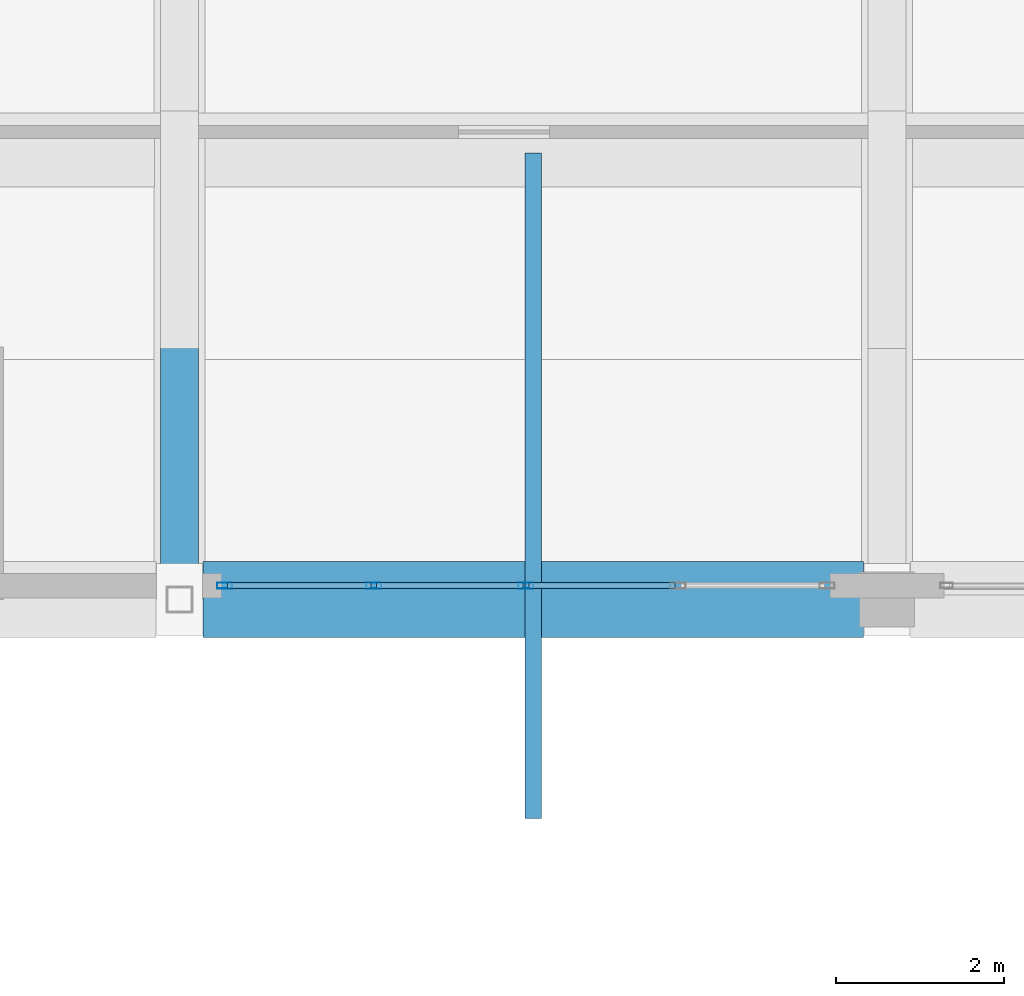
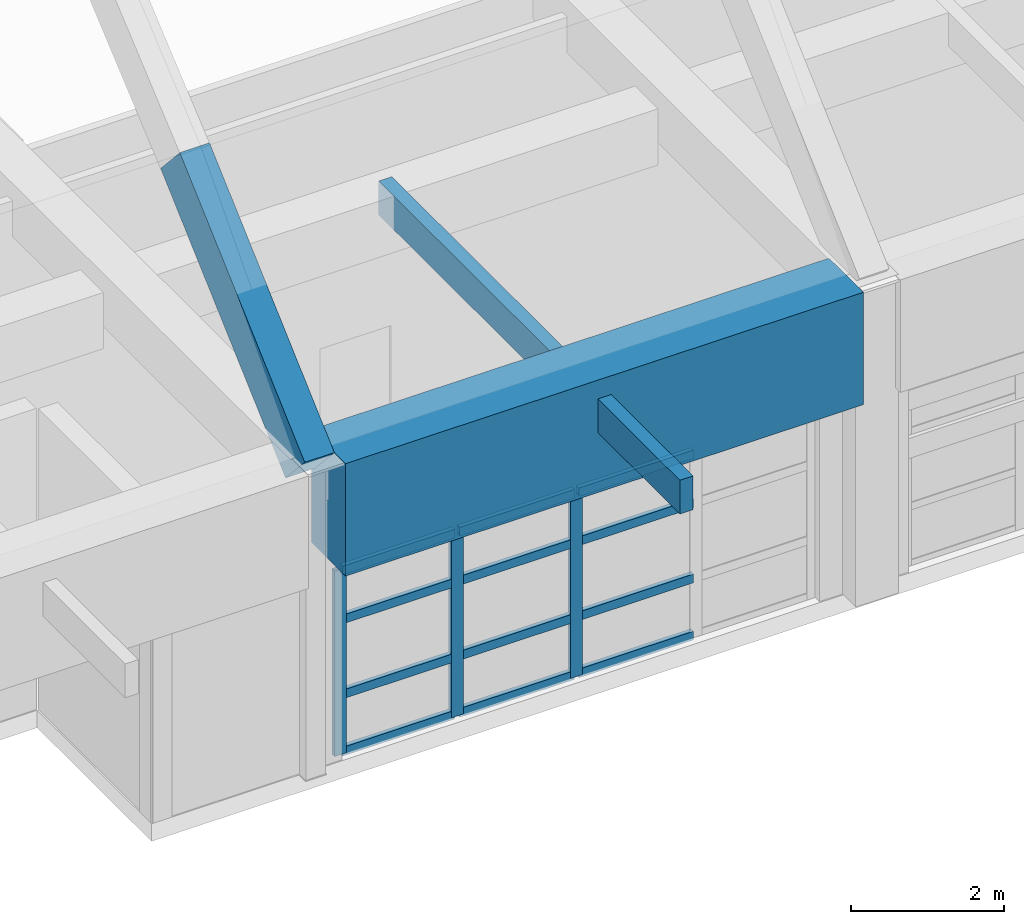
# One storey, part 37 of 103: 16 members, 2 beams, 1 element without a shape of its own.
"""IFC4 building model written with IfcOpenShell, lengths in metres."""

from ifc_helpers import new_model, si_unit, direction, frame, origin, origin_2d, place, context, subcontext, project, spatial, rectangle, hollow_rectangle, extrude, material, layer, layer_set, material_profile, profile_set, type_object, element, aggregate, save


model = new_model("IFC4")

# Units and contexts
model_context = context("Model", 3, precision=1e-05, world=origin(), true_north=direction((0.0, 1.0)))
body_context = subcontext(model_context, "Body", "Model", "MODEL_VIEW")
ifc_project = project(units=[si_unit("LENGTHUNIT", "METRE"), si_unit("AREAUNIT", "SQUARE_METRE"), si_unit("VOLUMEUNIT", "CUBIC_METRE"), si_unit("PLANEANGLEUNIT", "RADIAN"), si_unit("MASSUNIT", "GRAM", prefix="KILO")], contexts=[model_context])

# Site, building, storey
site_placement = place(None, origin())
site = spatial("IfcSite", under=ifc_project, at=site_placement, CompositionType="ELEMENT")
building_placement = place(site_placement, origin())
building = spatial("IfcBuilding", under=site, at=building_placement, Name="Quendrovan Civic Courthouse", CompositionType="ELEMENT")
storey_placement = place(building_placement, frame((0.0, 0.0, 15.300048828125)))
storey = spatial("IfcBuildingStorey", under=building, at=storey_placement, Name="L04", CompositionType="ELEMENT", Elevation=15.300048828125)

# Beams
ifc_material_1 = material(Name="Concrete C45/55", Category="concrete")
ifc_material_profile_1 = material_profile(ifc_material_1, rectangle(XDim=0.89990234375, YDim=1.800048828125, at=origin_2d()), Name="RC-TG-900x1800")
ifc_profile_set_1 = profile_set([ifc_material_profile_1], Name="Concrete C45/55")
beam_type_1 = type_object("IfcBeamType", Name="BM-TG1800", PredefinedType="BEAM", material=ifc_profile_set_1)
beam_1_placement = place(storey_placement, frame((50.679931640625, 64.800048828125, 4.199951171875), z_axis=(1.0, 0.0, 0.0), x_axis=(0.0, 1.0, 0.0)))
element("IfcBeam", 1, at=beam_1_placement, inside=storey, type_object=beam_type_1, Name="BV2 Springing Collector Girder S-3", PredefinedType="BEAM", context=body_context, shape_type="SweptSolid", body=[
    extrude(rectangle(XDim=0.89990234375, YDim=1.800048828125, at=origin_2d()), origin(), (0.0, 0.0, 1.0), 7.840087890625),
])
ifc_material_2 = material(Name="Concrete C40/50", Category="concrete")
ifc_material_profile_2 = material_profile(ifc_material_2, rectangle(XDim=0.449951171875, YDim=0.75, at=origin_2d()), Name="RC-VRIB-450x750")
ifc_profile_set_2 = profile_set([ifc_material_profile_2], Name="Concrete C40/50")
beam_type_2 = type_object("IfcBeamType", Name="BM-VRIB750", PredefinedType="BEAM", material=ifc_profile_set_2)
beam_2_placement = place(storey_placement, frame((50.39990234375, 64.800048828125, 4.89990234375), z_axis=(0.0, 0.740758632606, 0.671771276716), x_axis=(-1.0, 0.0, 0.0)))
element("IfcBeam", 2, at=beam_2_placement, inside=storey, type_object=beam_type_2, Name="BV2 Concrete Vault Arch Rib A3-C1", PredefinedType="BEAM", context=body_context, shape_type="SweptSolid", body=[
    extrude(rectangle(XDim=0.449951171875, YDim=0.75, at=origin_2d()), origin(), (0.0, 0.0, 1.0), 4.423583984375),
])

# Curtain wall, members
ifc_material_3 = material(Name="Bronze anodised aluminium and low-E glass", Category="aluminium")
ifc_layer = layer(ifc_material_3, 0.179931640625, Name="Bronze anodised aluminium and low-E glass")
ifc_layer_set = layer_set([ifc_layer], Name="Bronze anodised aluminium and low-E glass")
curtain_wall_type = type_object("IfcCurtainWallType", Name="CW-U72x30", PredefinedType="USERDEFINED", material=ifc_layer_set)
curtain_wall_placement = place(storey_placement, origin())
curtain_wall = element("IfcCurtainWall", 3, at=curtain_wall_placement, inside=storey, type_object=curtain_wall_type, Name="L04 Unitised Hurricane Curtain Wall CW-162", ObjectType="UNITISED CURTAIN WALL", PredefinedType="USERDEFINED")
ifc_material_4 = material(Name="Bronze anodised aluminium", Category="aluminium")
ifc_material_profile_3 = material_profile(ifc_material_4, hollow_rectangle(XDim=0.070068359375, YDim=0.179931640625, WallThickness=0.00390625, at=origin_2d()), Name="CW-MULL-70x180")
ifc_profile_set_3 = profile_set([ifc_material_profile_3], Name="Bronze anodised aluminium")
member_type_1 = type_object("IfcMemberType", Name="CW-MULL-A", PredefinedType="MULLION", material=ifc_profile_set_3)
member_1_placement = place(storey_placement, frame((54.512451171875, 64.965087890625, 0.0), z_axis=(0.0, 0.0, 1.0), x_axis=(0.0, -1.0, 0.0)))
member_1 = element("IfcMember", 4, at=member_1_placement, type_object=member_type_1, Name="CW-162 mullion 3", PredefinedType="MULLION", context=body_context, shape_type="SweptSolid", body=[
    extrude(hollow_rectangle(XDim=0.070068359375, YDim=0.179931640625, WallThickness=0.00390625, at=origin_2d()), origin(), (0.0, 0.0, 1.0), 2.969970703125),
])
member_2_placement = place(storey_placement, frame((52.706298828125, 64.965087890625, 0.0), z_axis=(0.0, 0.0, 1.0), x_axis=(0.0, -1.0, 0.0)))
member_2 = element("IfcMember", 5, at=member_2_placement, type_object=member_type_1, Name="CW-162 mullion 4", PredefinedType="MULLION", context=body_context, shape_type="SweptSolid", body=[
    extrude(hollow_rectangle(XDim=0.070068359375, YDim=0.179931640625, WallThickness=0.00390625, at=origin_2d()), origin(), (0.0, 0.0, 1.0), 2.969970703125),
])
member_3_placement = place(storey_placement, frame((50.93505859375, 64.965087890625, 0.0), z_axis=(0.0, 0.0, 1.0), x_axis=(0.0, -1.0, 0.0)))
member_3 = element("IfcMember", 6, at=member_3_placement, type_object=member_type_1, Name="CW-162 mullion 5", PredefinedType="MULLION", context=body_context, shape_type="SweptSolid", body=[
    extrude(hollow_rectangle(XDim=0.070068359375, YDim=0.179931640625, WallThickness=0.00390625, at=origin_2d()), origin(), (0.0, 0.0, 1.0), 2.969970703125),
])
ifc_material_profile_4 = material_profile(ifc_material_4, hollow_rectangle(XDim=0.070068359375, YDim=0.139892578125, WallThickness=0.00390625, at=origin_2d()), Name="CW-TRAN-70x140")
ifc_profile_set_4 = profile_set([ifc_material_profile_4], Name="Bronze anodised aluminium")
member_type_2 = type_object("IfcMemberType", Name="CW-TRAN-A", PredefinedType="USERDEFINED", material=ifc_profile_set_4)
member_4_placement = place(storey_placement, frame((56.28369140625, 64.965087890625, 0.034912109375), z_axis=(-1.0, 0.0, 0.0), x_axis=(0.0, -1.0, 0.0)))
member_4 = element("IfcMember", 7, at=member_4_placement, type_object=member_type_2, Name="CW-162 transom 2.1", ObjectType="TRANSOM", PredefinedType="USERDEFINED", context=body_context, shape_type="SweptSolid", body=[
    extrude(hollow_rectangle(XDim=0.070068359375, YDim=0.139892578125, WallThickness=0.00390625, at=origin_2d()), origin(), (0.0, 0.0, 1.0), 1.736083984375),
])
member_5_placement = place(storey_placement, frame((56.28369140625, 64.965087890625, 0.949951171875), z_axis=(-1.0, 0.0, 0.0), x_axis=(0.0, -1.0, 0.0)))
member_5 = element("IfcMember", 8, at=member_5_placement, type_object=member_type_2, Name="CW-162 transom 2.2", ObjectType="TRANSOM", PredefinedType="USERDEFINED", context=body_context, shape_type="SweptSolid", body=[
    extrude(hollow_rectangle(XDim=0.070068359375, YDim=0.139892578125, WallThickness=0.00390625, at=origin_2d()), origin(), (0.0, 0.0, 1.0), 1.736083984375),
])
member_6_placement = place(storey_placement, frame((56.28369140625, 64.965087890625, 2.14990234375), z_axis=(-1.0, 0.0, 0.0), x_axis=(0.0, -1.0, 0.0)))
member_6 = element("IfcMember", 9, at=member_6_placement, type_object=member_type_2, Name="CW-162 transom 2.3", ObjectType="TRANSOM", PredefinedType="USERDEFINED", context=body_context, shape_type="SweptSolid", body=[
    extrude(hollow_rectangle(XDim=0.070068359375, YDim=0.139892578125, WallThickness=0.00390625, at=origin_2d()), origin(), (0.0, 0.0, 1.0), 1.736083984375),
])
member_7_placement = place(storey_placement, frame((56.28369140625, 64.965087890625, 2.93505859375), z_axis=(-1.0, 0.0, 0.0), x_axis=(0.0, -1.0, 0.0)))
member_7 = element("IfcMember", 10, at=member_7_placement, type_object=member_type_2, Name="CW-162 transom 2.4", ObjectType="TRANSOM", PredefinedType="USERDEFINED", context=body_context, shape_type="SweptSolid", body=[
    extrude(hollow_rectangle(XDim=0.070068359375, YDim=0.139892578125, WallThickness=0.00390625, at=origin_2d()), origin(), (0.0, 0.0, 1.0), 1.736083984375),
])
member_8_placement = place(storey_placement, frame((54.4775390625, 64.965087890625, 0.034912109375), z_axis=(-1.0, 0.0, 0.0), x_axis=(0.0, -1.0, 0.0)))
member_8 = element("IfcMember", 11, at=member_8_placement, type_object=member_type_2, Name="CW-162 transom 3.1", ObjectType="TRANSOM", PredefinedType="USERDEFINED", context=body_context, shape_type="SweptSolid", body=[
    extrude(hollow_rectangle(XDim=0.070068359375, YDim=0.139892578125, WallThickness=0.00390625, at=origin_2d()), origin(), (0.0, 0.0, 1.0), 1.736328125),
])
member_9_placement = place(storey_placement, frame((54.4775390625, 64.965087890625, 0.949951171875), z_axis=(-1.0, 0.0, 0.0), x_axis=(0.0, -1.0, 0.0)))
member_9 = element("IfcMember", 12, at=member_9_placement, type_object=member_type_2, Name="CW-162 transom 3.2", ObjectType="TRANSOM", PredefinedType="USERDEFINED", context=body_context, shape_type="SweptSolid", body=[
    extrude(hollow_rectangle(XDim=0.070068359375, YDim=0.139892578125, WallThickness=0.00390625, at=origin_2d()), origin(), (0.0, 0.0, 1.0), 1.736328125),
])
member_10_placement = place(storey_placement, frame((54.4775390625, 64.965087890625, 2.14990234375), z_axis=(-1.0, 0.0, 0.0), x_axis=(0.0, -1.0, 0.0)))
member_10 = element("IfcMember", 13, at=member_10_placement, type_object=member_type_2, Name="CW-162 transom 3.3", ObjectType="TRANSOM", PredefinedType="USERDEFINED", context=body_context, shape_type="SweptSolid", body=[
    extrude(hollow_rectangle(XDim=0.070068359375, YDim=0.139892578125, WallThickness=0.00390625, at=origin_2d()), origin(), (0.0, 0.0, 1.0), 1.736328125),
])
member_11_placement = place(storey_placement, frame((54.4775390625, 64.965087890625, 2.93505859375), z_axis=(-1.0, 0.0, 0.0), x_axis=(0.0, -1.0, 0.0)))
member_11 = element("IfcMember", 14, at=member_11_placement, type_object=member_type_2, Name="CW-162 transom 3.4", ObjectType="TRANSOM", PredefinedType="USERDEFINED", context=body_context, shape_type="SweptSolid", body=[
    extrude(hollow_rectangle(XDim=0.070068359375, YDim=0.139892578125, WallThickness=0.00390625, at=origin_2d()), origin(), (0.0, 0.0, 1.0), 1.736328125),
])
member_12_placement = place(storey_placement, frame((52.671142578125, 64.965087890625, 0.034912109375), z_axis=(-1.0, 0.0, 0.0), x_axis=(0.0, -1.0, 0.0)))
member_12 = element("IfcMember", 15, at=member_12_placement, type_object=member_type_2, Name="CW-162 transom 4.1", ObjectType="TRANSOM", PredefinedType="USERDEFINED", context=body_context, shape_type="SweptSolid", body=[
    extrude(hollow_rectangle(XDim=0.070068359375, YDim=0.139892578125, WallThickness=0.00390625, at=origin_2d()), origin(), (0.0, 0.0, 1.0), 1.701171875),
])
member_13_placement = place(storey_placement, frame((52.671142578125, 64.965087890625, 0.949951171875), z_axis=(-1.0, 0.0, 0.0), x_axis=(0.0, -1.0, 0.0)))
member_13 = element("IfcMember", 16, at=member_13_placement, type_object=member_type_2, Name="CW-162 transom 4.2", ObjectType="TRANSOM", PredefinedType="USERDEFINED", context=body_context, shape_type="SweptSolid", body=[
    extrude(hollow_rectangle(XDim=0.070068359375, YDim=0.139892578125, WallThickness=0.00390625, at=origin_2d()), origin(), (0.0, 0.0, 1.0), 1.701171875),
])
member_14_placement = place(storey_placement, frame((52.671142578125, 64.965087890625, 2.14990234375), z_axis=(-1.0, 0.0, 0.0), x_axis=(0.0, -1.0, 0.0)))
member_14 = element("IfcMember", 17, at=member_14_placement, type_object=member_type_2, Name="CW-162 transom 4.3", ObjectType="TRANSOM", PredefinedType="USERDEFINED", context=body_context, shape_type="SweptSolid", body=[
    extrude(hollow_rectangle(XDim=0.070068359375, YDim=0.139892578125, WallThickness=0.00390625, at=origin_2d()), origin(), (0.0, 0.0, 1.0), 1.701171875),
])
member_15_placement = place(storey_placement, frame((52.671142578125, 64.965087890625, 2.93505859375), z_axis=(-1.0, 0.0, 0.0), x_axis=(0.0, -1.0, 0.0)))
member_15 = element("IfcMember", 18, at=member_15_placement, type_object=member_type_2, Name="CW-162 transom 4.4", ObjectType="TRANSOM", PredefinedType="USERDEFINED", context=body_context, shape_type="SweptSolid", body=[
    extrude(hollow_rectangle(XDim=0.070068359375, YDim=0.139892578125, WallThickness=0.00390625, at=origin_2d()), origin(), (0.0, 0.0, 1.0), 1.701171875),
])
aggregate(curtain_wall, [member_1, member_2, member_3, member_4, member_5, member_6, member_7, member_8, member_9, member_10, member_11, member_12, member_13, member_14, member_15])

# Member
ifc_material_5 = material(Name="Western Red Cedar Glulam GL28h", Category="wood")
ifc_material_profile_5 = material_profile(ifc_material_5, rectangle(XDim=0.199951171875, YDim=0.5400390625, at=origin_2d()), Name="GL28H-200x540")
ifc_profile_set_5 = profile_set([ifc_material_profile_5], Name="Western Red Cedar Glulam GL28h")
member_type_3 = type_object("IfcMemberType", Name="MEM-PUR-GL540", PredefinedType="PURLIN", material=ifc_profile_set_5)
member_16_placement = place(storey_placement, frame((54.60009765625, 62.199951171875, 4.530029296875), z_axis=(0.0, 1.0, 0.0), x_axis=(-1.0, 0.0, 0.0)))
element("IfcMember", 19, at=member_16_placement, inside=storey, type_object=member_type_3, Name="BV2 Cedar Glulam South Hurricane Eave Outrigger B3", PredefinedType="PURLIN", context=body_context, shape_type="SweptSolid", body=[
    extrude(rectangle(XDim=0.199951171875, YDim=0.5400390625, at=origin_2d()), origin(), (0.0, 0.0, 1.0), 7.900146484375),
])

save(model, "model.ifc")
